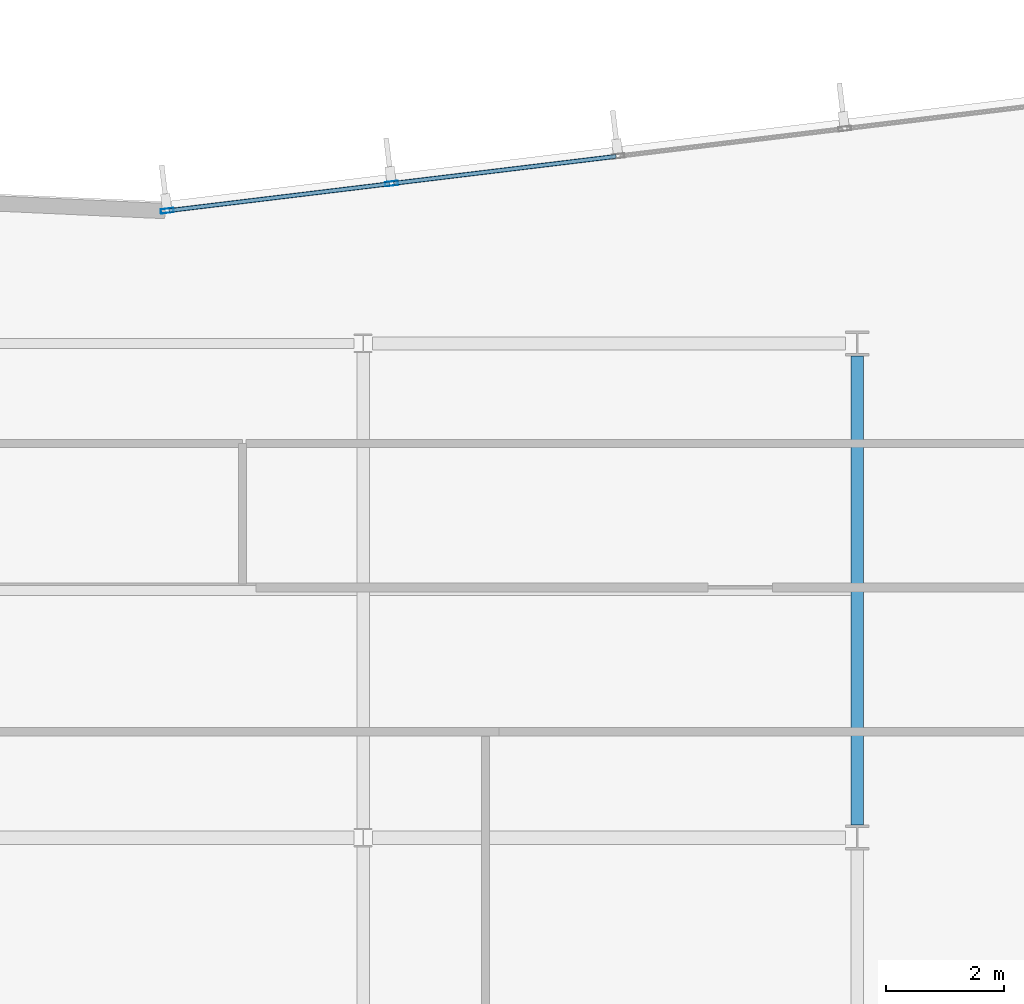
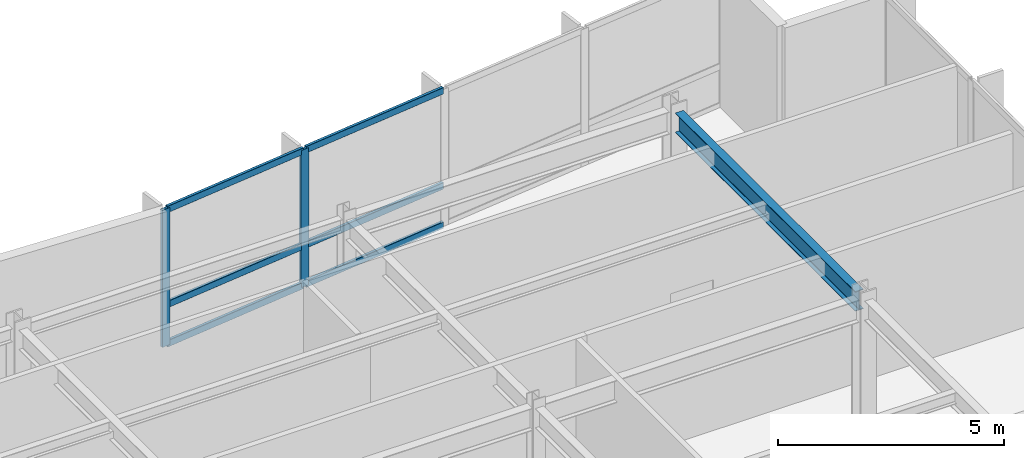
# One storey, part 7 of 16: 8 members, 1 beam, 1 element without a shape of its own.
"""IFC4 building model written with IfcOpenShell, lengths in metres."""

from ifc_helpers import new_model, si_unit, direction, frame, origin, origin_2d, place, context, subcontext, project, spatial, hollow_rectangle, i_section, extrude, material, layer, layer_set, material_profile, profile_set, type_object, element, aggregate, save


model = new_model("IFC4")

# Units and contexts
model_context = context("Model", 3, precision=1e-05, world=origin(), true_north=direction((0.0, 1.0)))
body_context = subcontext(model_context, "Body", "Model", "MODEL_VIEW")
ifc_project = project(units=[si_unit("LENGTHUNIT", "METRE"), si_unit("AREAUNIT", "SQUARE_METRE"), si_unit("VOLUMEUNIT", "CUBIC_METRE"), si_unit("PLANEANGLEUNIT", "RADIAN"), si_unit("MASSUNIT", "GRAM", prefix="KILO")], contexts=[model_context])

# Site, building, storey
site_placement = place(None, origin())
site = spatial("IfcSite", under=ifc_project, at=site_placement, CompositionType="ELEMENT")
building_placement = place(site_placement, origin())
building = spatial("IfcBuilding", under=site, at=building_placement, Name="Varnakote Quay Hospital", CompositionType="ELEMENT")
storey_placement = place(building_placement, frame((0.0, 0.0, 166.550048828125)))
storey = spatial("IfcBuildingStorey", under=building, at=storey_placement, Name="L41", CompositionType="ELEMENT", Elevation=166.550048828125)

# Beam
ifc_material_1 = material(Name="Structural steel AS/NZS 3679.1 Grade 350 L0 (fy 340 MPa)", Category="steel")
ifc_material_profile_1 = material_profile(ifc_material_1, i_section(OverallWidth=0.208984375, OverallDepth=0.532958984375, WebThickness=0.01025390625, FlangeThickness=0.015625, FilletRadius=0.013916015625, at=origin_2d()), Name="530UB92.4")
ifc_profile_set_1 = profile_set([ifc_material_profile_1], Name="Structural steel AS/NZS 3679.1 Grade 350 L0 (fy 340 MPa)")
beam_type = type_object("IfcBeamType", Name="BM-STL-530UB92-4", PredefinedType="BEAM", material=ifc_profile_set_1)
beam_placement = place(storey_placement, frame((50.39990234375, 20.610107421875, 3.443359375), z_axis=(0.0, 1.0, 0.0), x_axis=(-1.0, 0.0, 0.0)))
element("IfcBeam", 1, at=beam_placement, inside=storey, type_object=beam_type, Name="L41 Primary Tie Beam", PredefinedType="BEAM", context=body_context, shape_type="SweptSolid", body=[
    extrude(i_section(OverallWidth=0.208984375, OverallDepth=0.532958984375, WebThickness=0.01025390625, FlangeThickness=0.015625, FilletRadius=0.013916015625, at=origin_2d()), origin(), (0.0, 0.0, 1.0), 7.97998046875),
])

# Curtain wall, members
ifc_material_2 = material(Name="Anodised aluminium 6063-T6 Bronze", Category="aluminium")
ifc_layer = layer(ifc_material_2, 0.205078125)
ifc_layer_set = layer_set([ifc_layer], Name="Anodised aluminium 6063-T6 Bronze")
curtain_wall_type = type_object("IfcCurtainWallType", Name="CW-SYS-3", PredefinedType="NOTDEFINED", material=ifc_layer_set)
curtain_wall_placement = place(storey_placement, origin())
curtain_wall = element("IfcCurtainWall", 2, at=curtain_wall_placement, inside=storey, type_object=curtain_wall_type, Name="L41 Unitised Bronze Curtain Wall 2", PredefinedType="NOTDEFINED")
ifc_material_3 = material(Name="Anodised aluminium 6063-T6 Bronze", Category="aluminium")
ifc_material_profile_2 = material_profile(ifc_material_3, hollow_rectangle(XDim=0.074951171875, YDim=0.219970703125, WallThickness=0.00439453125, InnerFilletRadius=0.00439453125, OuterFilletRadius=0.009033203125, at=origin_2d()), Name="CW-MULL-220x75")
ifc_profile_set_2 = profile_set([ifc_material_profile_2], Name="Anodised aluminium 6063-T6 Bronze")
member_type_1 = type_object("IfcMemberType", Name="CW-MULL-220x75", PredefinedType="MULLION", material=ifc_profile_set_2)
member_1_placement = place(storey_placement, frame((42.482666015625, 31.5185546875, 0.0), z_axis=(0.0, 0.0, 1.0), x_axis=(0.12032713492, -0.992734295067, 0.0)))
member_1 = element("IfcMember", 3, at=member_1_placement, type_object=member_type_1, Name="-3-L41-2 mullion 4", PredefinedType="MULLION", context=body_context, shape_type="SweptSolid", body=[
    extrude(hollow_rectangle(XDim=0.074951171875, YDim=0.219970703125, WallThickness=0.00439453125, InnerFilletRadius=0.00439453125, OuterFilletRadius=0.009033203125, at=origin_2d()), origin(), (0.0, 0.0, 1.0), 3.7099609375),
])
member_2_placement = place(storey_placement, frame((38.667236328125, 31.05615234375, 0.0), z_axis=(0.0, 0.0, 1.0), x_axis=(0.12032713492, -0.992734295067, 0.0)))
member_2 = element("IfcMember", 4, at=member_2_placement, type_object=member_type_1, Name="-3-L41-2 mullion 5", PredefinedType="MULLION", context=body_context, shape_type="SweptSolid", body=[
    extrude(hollow_rectangle(XDim=0.074951171875, YDim=0.219970703125, WallThickness=0.00439453125, InnerFilletRadius=0.00439453125, OuterFilletRadius=0.009033203125, at=origin_2d()), origin(), (0.0, 0.0, 1.0), 3.7099609375),
])
ifc_material_4 = material(Name="Anodised aluminium 6063-T6 Bronze", Category="aluminium")
ifc_material_profile_3 = material_profile(ifc_material_4, hollow_rectangle(XDim=0.074951171875, YDim=0.179931640625, WallThickness=0.004150390625, InnerFilletRadius=0.004150390625, OuterFilletRadius=0.00830078125, at=origin_2d()), Name="CW-TRAN-180x75")
ifc_profile_set_3 = profile_set([ifc_material_profile_3], Name="Anodised aluminium 6063-T6 Bronze")
member_type_2 = type_object("IfcMemberType", Name="CW-TRAN-180x75", PredefinedType="USERDEFINED", material=ifc_profile_set_3)
member_3_placement = place(storey_placement, frame((46.2978515625, 31.98095703125, 0.037353515625), z_axis=(-0.992731924158, -0.120346694005, 0.0), x_axis=(0.120346694005, -0.992731924158, 0.0)))
member_3 = element("IfcMember", 5, at=member_3_placement, type_object=member_type_2, Name="-3-L41-2 transom 3.1", ObjectType="TRANSOM", PredefinedType="USERDEFINED", context=body_context, shape_type="SweptSolid", body=[
    extrude(hollow_rectangle(XDim=0.074951171875, YDim=0.179931640625, WallThickness=0.004150390625, InnerFilletRadius=0.004150390625, OuterFilletRadius=0.00830078125, at=origin_2d()), origin(), (0.0, 0.0, 1.0), 3.8056640625),
])
member_4_placement = place(storey_placement, frame((46.2978515625, 31.98095703125, 1.099853515625), z_axis=(-0.992731924158, -0.120346694005, 0.0), x_axis=(0.120346694005, -0.992731924158, 0.0)))
member_4 = element("IfcMember", 6, at=member_4_placement, type_object=member_type_2, Name="-3-L41-2 transom 3.2", ObjectType="TRANSOM", PredefinedType="USERDEFINED", context=body_context, shape_type="SweptSolid", body=[
    extrude(hollow_rectangle(XDim=0.074951171875, YDim=0.179931640625, WallThickness=0.004150390625, InnerFilletRadius=0.004150390625, OuterFilletRadius=0.00830078125, at=origin_2d()), origin(), (0.0, 0.0, 1.0), 3.8056640625),
])
member_5_placement = place(storey_placement, frame((46.2978515625, 31.98095703125, 3.67236328125), z_axis=(-0.992731924158, -0.120346694005, 0.0), x_axis=(0.120346694005, -0.992731924158, 0.0)))
member_5 = element("IfcMember", 7, at=member_5_placement, type_object=member_type_2, Name="-3-L41-2 transom 3.3", ObjectType="TRANSOM", PredefinedType="USERDEFINED", context=body_context, shape_type="SweptSolid", body=[
    extrude(hollow_rectangle(XDim=0.074951171875, YDim=0.179931640625, WallThickness=0.004150390625, InnerFilletRadius=0.004150390625, OuterFilletRadius=0.00830078125, at=origin_2d()), origin(), (0.0, 0.0, 1.0), 3.8056640625),
])
member_6_placement = place(storey_placement, frame((42.4453125, 31.513916015625, 0.037353515625), z_axis=(-0.992735423717, -0.120317822859, 0.0), x_axis=(0.120317822859, -0.992735423717, 0.0)))
member_6 = element("IfcMember", 8, at=member_6_placement, type_object=member_type_2, Name="-3-L41-2 transom 4.1", ObjectType="TRANSOM", PredefinedType="USERDEFINED", context=body_context, shape_type="SweptSolid", body=[
    extrude(hollow_rectangle(XDim=0.074951171875, YDim=0.179931640625, WallThickness=0.004150390625, InnerFilletRadius=0.004150390625, OuterFilletRadius=0.00830078125, at=origin_2d()), origin(), (0.0, 0.0, 1.0), 3.76806640625),
])
member_7_placement = place(storey_placement, frame((42.4453125, 31.513916015625, 1.099853515625), z_axis=(-0.992735423717, -0.120317822859, 0.0), x_axis=(0.120317822859, -0.992735423717, 0.0)))
member_7 = element("IfcMember", 9, at=member_7_placement, type_object=member_type_2, Name="-3-L41-2 transom 4.2", ObjectType="TRANSOM", PredefinedType="USERDEFINED", context=body_context, shape_type="SweptSolid", body=[
    extrude(hollow_rectangle(XDim=0.074951171875, YDim=0.179931640625, WallThickness=0.004150390625, InnerFilletRadius=0.004150390625, OuterFilletRadius=0.00830078125, at=origin_2d()), origin(), (0.0, 0.0, 1.0), 3.76806640625),
])
member_8_placement = place(storey_placement, frame((42.4453125, 31.513916015625, 3.67236328125), z_axis=(-0.992735423717, -0.120317822859, 0.0), x_axis=(0.120317822859, -0.992735423717, 0.0)))
member_8 = element("IfcMember", 10, at=member_8_placement, type_object=member_type_2, Name="-3-L41-2 transom 4.3", ObjectType="TRANSOM", PredefinedType="USERDEFINED", context=body_context, shape_type="SweptSolid", body=[
    extrude(hollow_rectangle(XDim=0.074951171875, YDim=0.179931640625, WallThickness=0.004150390625, InnerFilletRadius=0.004150390625, OuterFilletRadius=0.00830078125, at=origin_2d()), origin(), (0.0, 0.0, 1.0), 3.76806640625),
])
aggregate(curtain_wall, [member_1, member_2, member_3, member_4, member_5, member_6, member_7, member_8])

save(model, "model.ifc")
